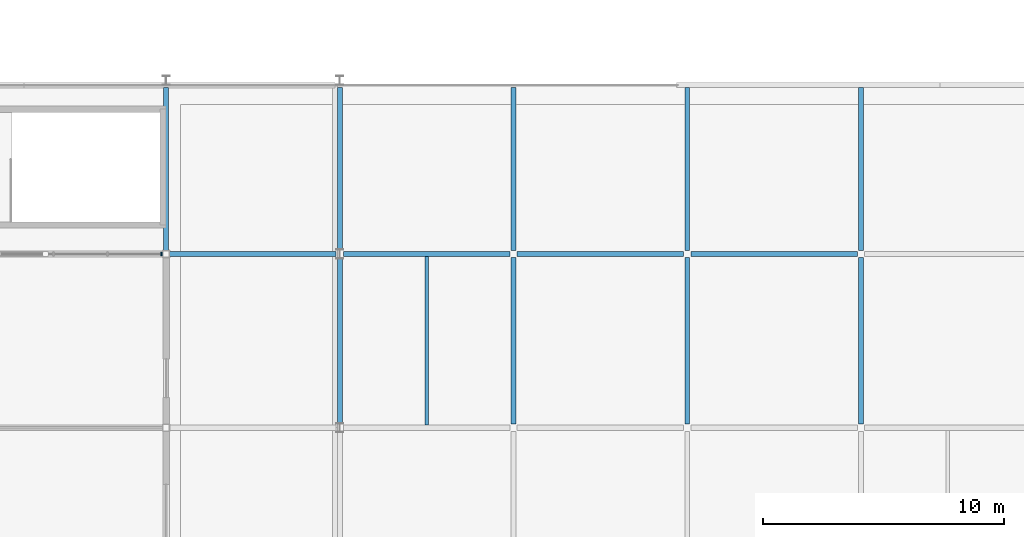
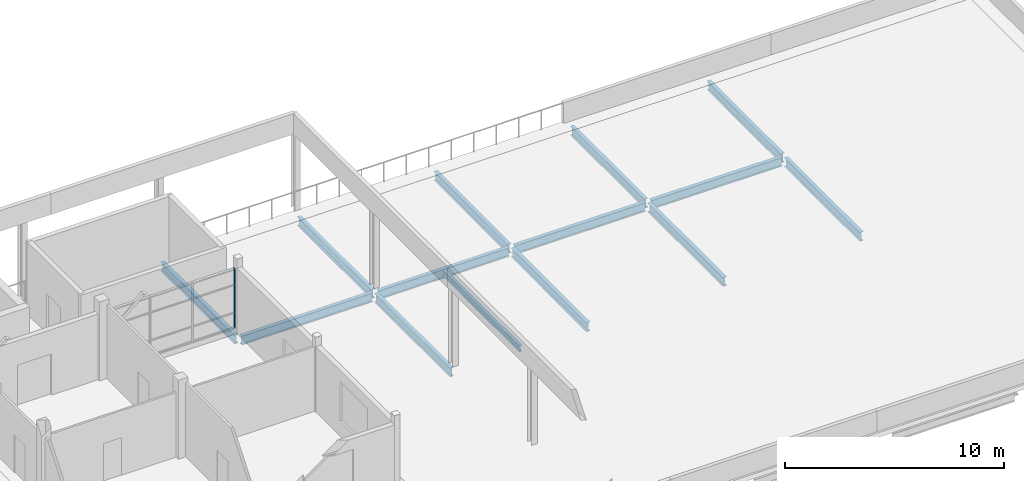
# One storey, part 14 of 32: 14 beams, 1 member, 1 element without a shape of its own.
"""IFC4 building model written with IfcOpenShell, lengths in metres."""

from ifc_helpers import new_model, si_unit, direction, frame, origin, origin_2d, place, context, subcontext, project, spatial, rectangle, i_section, extrude, material, material_profile, profile_set, type_object, element, aggregate, save


model = new_model("IFC4")

# Units and contexts
model_context = context("Model", 3, precision=1e-05, world=origin(), true_north=direction((0.0, 1.0)))
body_context = subcontext(model_context, "Body", "Model", "MODEL_VIEW")
ifc_project = project(units=[si_unit("LENGTHUNIT", "METRE"), si_unit("AREAUNIT", "SQUARE_METRE"), si_unit("VOLUMEUNIT", "CUBIC_METRE"), si_unit("PLANEANGLEUNIT", "RADIAN"), si_unit("MASSUNIT", "GRAM", prefix="KILO")], contexts=[model_context])

# Site, building, storey
site_placement = place(None, origin())
site = spatial("IfcSite", under=ifc_project, at=site_placement, CompositionType="ELEMENT")
building_placement = place(site_placement, origin())
building = spatial("IfcBuilding", under=site, at=building_placement, Name="Sardonyx Promenade Sports Hall", CompositionType="ELEMENT")
storey_placement = place(building_placement, frame((0.0, 0.0, 20.39990234375)))
storey = spatial("IfcBuildingStorey", under=building, at=storey_placement, Name="L04", CompositionType="ELEMENT", Elevation=20.39990234375)

# Beams
ifc_material_1 = material(Name="Steel S355JR", Category="steel")
ifc_material_profile_1 = material_profile(ifc_material_1, i_section(OverallWidth=0.159912109375, OverallDepth=0.330078125, WebThickness=0.007568359375, FlangeThickness=0.011474609375, at=origin_2d()))
ifc_profile_set_1 = profile_set([ifc_material_profile_1], Name="Steel S355JR")
beam_type_1 = type_object("IfcBeamType", Name="Bm_Joist_IPE330", PredefinedType="JOIST", material=ifc_profile_set_1)
beam_1_placement = place(storey_placement, frame((75.60009765625, 14.5048828125, -0.4248046875), z_axis=(0.0, 1.0, 0.0), x_axis=(-1.0, 0.0, 0.0)))
element("IfcBeam", 1, at=beam_1_placement, inside=storey, type_object=beam_type_1, Name="Secondary joist SJ04 L04 #1097", PredefinedType="JOIST", context=body_context, shape_type="SweptSolid", body=[
    extrude(i_section(OverallWidth=0.159912109375, OverallDepth=0.330078125, WebThickness=0.007568359375, FlangeThickness=0.011474609375, at=origin_2d()), origin(), (0.0, 0.0, 1.0), 6.9951171875),
])
ifc_material_2 = material(Name="Steel S355JR", Category="steel")
ifc_material_profile_2 = material_profile(ifc_material_2, i_section(OverallWidth=0.199951171875, OverallDepth=0.5, WebThickness=0.01025390625, FlangeThickness=0.01611328125, at=origin_2d()))
ifc_profile_set_2 = profile_set([ifc_material_profile_2], Name="Steel S355JR")
beam_type_2 = type_object("IfcBeamType", Name="Bm_Primary_IPE500", PredefinedType="BEAM", material=ifc_profile_set_2)
for number, where, z_axis, x_axis, name in (
    (2, (64.949951171875, 21.60009765625, -0.510009765625), (1.0, 0.0, 0.0), (0.0, 1.0, 0.0), "Beam SB06 L04 #990"),
    (3, (72.14990234375, 21.60009765625, -0.510009765625), (1.0, 0.0, 0.0), (0.0, 1.0, 0.0), "Beam SB06 L04 #991"),
):
    element("IfcBeam", number, at=place(storey_placement, frame(where, z_axis=z_axis, x_axis=x_axis)), inside=storey, type_object=beam_type_2, Name=name, PredefinedType="BEAM", context=body_context, shape_type="SweptSolid", body=[
        extrude(i_section(OverallWidth=0.199951171875, OverallDepth=0.5, WebThickness=0.01025390625, FlangeThickness=0.01611328125, at=origin_2d()), origin(), (0.0, 0.0, 1.0), 6.900146484375),
    ])
for number, where, z_axis, x_axis, name in (
    (4, (79.35009765625, 21.60009765625, -0.510009765625), (1.0, 0.0, 0.0), (0.0, 1.0, 0.0), "Beam SB06 L04 #992"),
    (5, (86.550048828125, 21.60009765625, -0.510009765625), (1.0, 0.0, 0.0), (0.0, 1.0, 0.0), "Beam SB06 L04 #993"),
):
    element("IfcBeam", number, at=place(storey_placement, frame(where, z_axis=z_axis, x_axis=x_axis)), inside=storey, type_object=beam_type_2, Name=name, PredefinedType="BEAM", context=body_context, shape_type="SweptSolid", body=[
        extrude(i_section(OverallWidth=0.199951171875, OverallDepth=0.5, WebThickness=0.01025390625, FlangeThickness=0.01611328125, at=origin_2d()), origin(), (0.0, 0.0, 1.0), 6.89990234375),
    ])
beam_2_placement = place(storey_placement, frame((64.800048828125, 21.75, -0.510009765625), z_axis=(0.0, 1.0, 0.0), x_axis=(-1.0, 0.0, 0.0)))
element("IfcBeam", 6, at=beam_2_placement, inside=storey, type_object=beam_type_2, Name="Beam SB06 L04 #1067", PredefinedType="BEAM", context=body_context, shape_type="SweptSolid", body=[
    extrude(i_section(OverallWidth=0.199951171875, OverallDepth=0.5, WebThickness=0.01025390625, FlangeThickness=0.01611328125, at=origin_2d()), origin(), (0.0, 0.0, 1.0), 6.75),
])
beam_3_placement = place(storey_placement, frame((72.0, 14.550048828125, -0.510009765625), z_axis=(0.0, 1.0, 0.0), x_axis=(-1.0, 0.0, 0.0)))
element("IfcBeam", 7, at=beam_3_placement, inside=storey, type_object=beam_type_2, Name="Beam SB06 L04 #1070", PredefinedType="BEAM", context=body_context, shape_type="SweptSolid", body=[
    extrude(i_section(OverallWidth=0.199951171875, OverallDepth=0.5, WebThickness=0.01025390625, FlangeThickness=0.01611328125, at=origin_2d()), origin(), (0.0, 0.0, 1.0), 6.89990234375),
])
beam_4_placement = place(storey_placement, frame((72.0, 21.75, -0.510009765625), z_axis=(0.0, 1.0, 0.0), x_axis=(-1.0, 0.0, 0.0)))
element("IfcBeam", 8, at=beam_4_placement, inside=storey, type_object=beam_type_2, Name="Beam SB06 L04 #1071", PredefinedType="BEAM", context=body_context, shape_type="SweptSolid", body=[
    extrude(i_section(OverallWidth=0.199951171875, OverallDepth=0.5, WebThickness=0.01025390625, FlangeThickness=0.01611328125, at=origin_2d()), origin(), (0.0, 0.0, 1.0), 6.75),
])
beam_5_placement = place(storey_placement, frame((79.199951171875, 14.550048828125, -0.510009765625), z_axis=(0.0, 1.0, 0.0), x_axis=(-1.0, 0.0, 0.0)))
element("IfcBeam", 9, at=beam_5_placement, inside=storey, type_object=beam_type_2, Name="Beam SB06 L04 #1074", PredefinedType="BEAM", context=body_context, shape_type="SweptSolid", body=[
    extrude(i_section(OverallWidth=0.199951171875, OverallDepth=0.5, WebThickness=0.01025390625, FlangeThickness=0.01611328125, at=origin_2d()), origin(), (0.0, 0.0, 1.0), 6.89990234375),
])
beam_6_placement = place(storey_placement, frame((79.199951171875, 21.75, -0.510009765625), z_axis=(0.0, 1.0, 0.0), x_axis=(-1.0, 0.0, 0.0)))
element("IfcBeam", 10, at=beam_6_placement, inside=storey, type_object=beam_type_2, Name="Beam SB06 L04 #1075", PredefinedType="BEAM", context=body_context, shape_type="SweptSolid", body=[
    extrude(i_section(OverallWidth=0.199951171875, OverallDepth=0.5, WebThickness=0.01025390625, FlangeThickness=0.01611328125, at=origin_2d()), origin(), (0.0, 0.0, 1.0), 6.75),
])
beam_7_placement = place(storey_placement, frame((86.39990234375, 14.550048828125, -0.510009765625), z_axis=(0.0, 1.0, 0.0), x_axis=(-1.0, 0.0, 0.0)))
element("IfcBeam", 11, at=beam_7_placement, inside=storey, type_object=beam_type_2, Name="Beam SB06 L04 #1078", PredefinedType="BEAM", context=body_context, shape_type="SweptSolid", body=[
    extrude(i_section(OverallWidth=0.199951171875, OverallDepth=0.5, WebThickness=0.01025390625, FlangeThickness=0.01611328125, at=origin_2d()), origin(), (0.0, 0.0, 1.0), 6.89990234375),
])
beam_8_placement = place(storey_placement, frame((86.39990234375, 21.75, -0.510009765625), z_axis=(0.0, 1.0, 0.0), x_axis=(-1.0, 0.0, 0.0)))
element("IfcBeam", 12, at=beam_8_placement, inside=storey, type_object=beam_type_2, Name="Beam SB06 L04 #1079", PredefinedType="BEAM", context=body_context, shape_type="SweptSolid", body=[
    extrude(i_section(OverallWidth=0.199951171875, OverallDepth=0.5, WebThickness=0.01025390625, FlangeThickness=0.01611328125, at=origin_2d()), origin(), (0.0, 0.0, 1.0), 6.75),
])
beam_9_placement = place(storey_placement, frame((93.60009765625, 14.550048828125, -0.510009765625), z_axis=(0.0, 1.0, 0.0), x_axis=(-1.0, 0.0, 0.0)))
element("IfcBeam", 13, at=beam_9_placement, inside=storey, type_object=beam_type_2, Name="Beam SB06 L04 #1082", PredefinedType="BEAM", context=body_context, shape_type="SweptSolid", body=[
    extrude(i_section(OverallWidth=0.199951171875, OverallDepth=0.5, WebThickness=0.01025390625, FlangeThickness=0.01611328125, at=origin_2d()), origin(), (0.0, 0.0, 1.0), 6.89990234375),
])
beam_10_placement = place(storey_placement, frame((93.60009765625, 21.75, -0.510009765625), z_axis=(0.0, 1.0, 0.0), x_axis=(-1.0, 0.0, 0.0)))
element("IfcBeam", 14, at=beam_10_placement, inside=storey, type_object=beam_type_2, Name="Beam SB06 L04 #1083", PredefinedType="BEAM", context=body_context, shape_type="SweptSolid", body=[
    extrude(i_section(OverallWidth=0.199951171875, OverallDepth=0.5, WebThickness=0.01025390625, FlangeThickness=0.01611328125, at=origin_2d()), origin(), (0.0, 0.0, 1.0), 6.75),
])

# Curtain wall, member
ifc_material_3 = material(Name="Aluminium 6063-T6", Category="aluminium")
curtain_wall_type = type_object("IfcCurtainWallType", Name="CW_Pavilion_L04_640", PredefinedType="USERDEFINED", material=ifc_material_3)
curtain_wall_placement = place(storey_placement, origin())
curtain_wall = element("IfcCurtainWall", 15, at=curtain_wall_placement, inside=storey, type_object=curtain_wall_type, Name="Curtain wall CW10 cw:L04:170", ObjectType="CURTAIN WALL", PredefinedType="USERDEFINED")
ifc_material_4 = material(Name="Aluminium 6063-T6", Category="aluminium")
ifc_material_profile_3 = material_profile(ifc_material_4, rectangle(XDim=0.06005859375, YDim=0.14990234375, at=origin_2d()))
ifc_profile_set_3 = profile_set([ifc_material_profile_3], Name="Aluminium 6063-T6")
member_type = type_object("IfcMemberType", Name="CW_Mull_150", PredefinedType="MULLION", material=ifc_profile_set_3)
member_placement = place(storey_placement, frame((64.60009765625, 21.60009765625, 0.300048828125), z_axis=(0.0, 0.0, 1.0), x_axis=(1.0, 0.0, 0.0)))
member = element("IfcMember", 16, at=member_placement, type_object=member_type, Name="Mullion CM01 cw:L04:170 #4", PredefinedType="MULLION", context=body_context, shape_type="SweptSolid", body=[
    extrude(rectangle(XDim=0.06005859375, YDim=0.14990234375, at=origin_2d()), origin(), (0.0, 0.0, 1.0), 3.300048828125),
])
aggregate(curtain_wall, [member])

save(model, "model.ifc")
